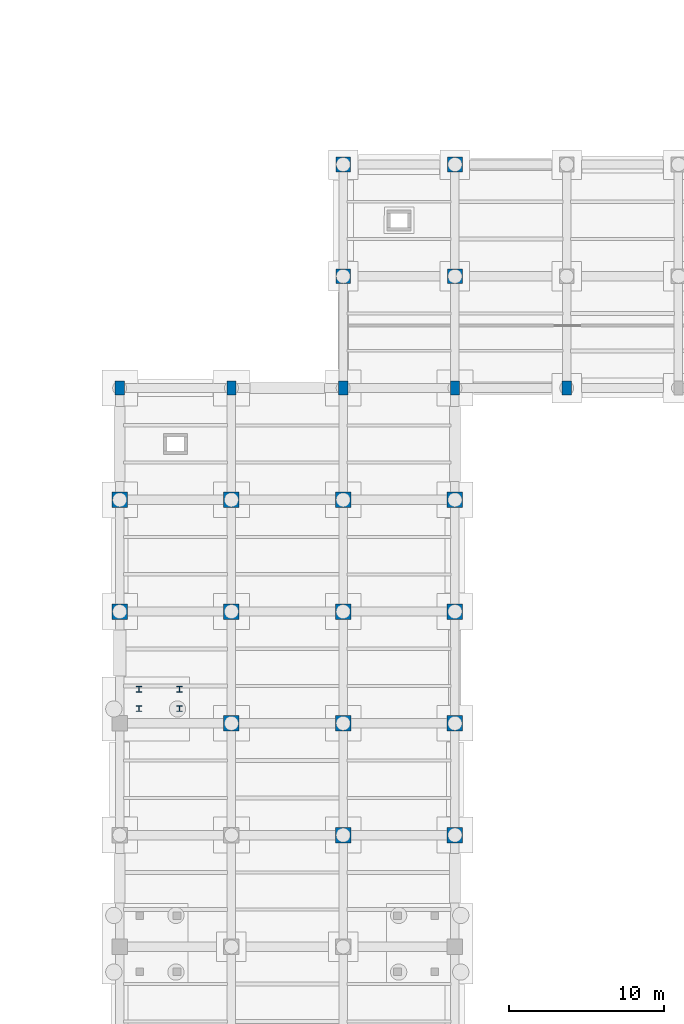
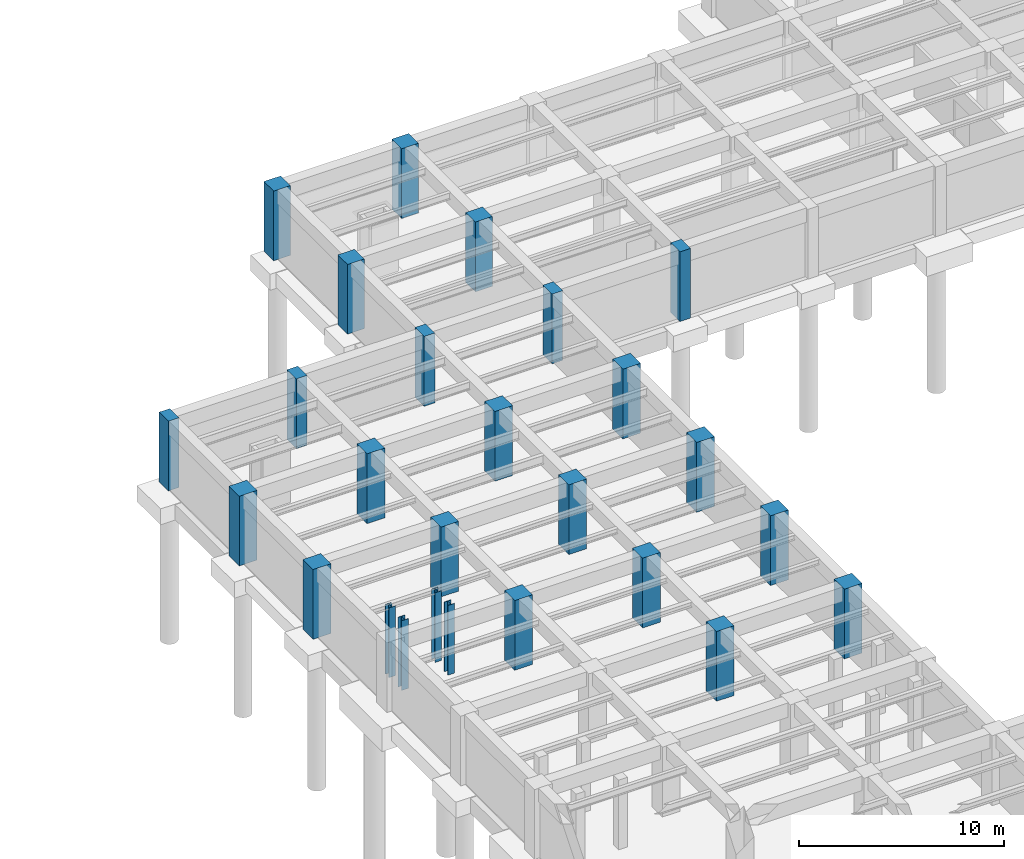
# One storey, part 6 of 34: 26 columns.
"""IFC4 building model written with IfcOpenShell, lengths in metres."""

from ifc_helpers import new_model, si_unit, direction, frame, origin, origin_2d, place, context, subcontext, project, spatial, rectangle, i_section, extrude, material, material_profile, profile_set, type_object, element, save


model = new_model("IFC4")

# Units and contexts
model_context = context("Model", 3, precision=1e-05, world=origin(), true_north=direction((0.0, 1.0)))
body_context = subcontext(model_context, "Body", "Model", "MODEL_VIEW")
ifc_project = project(units=[si_unit("LENGTHUNIT", "METRE"), si_unit("AREAUNIT", "SQUARE_METRE"), si_unit("VOLUMEUNIT", "CUBIC_METRE"), si_unit("PLANEANGLEUNIT", "RADIAN"), si_unit("MASSUNIT", "GRAM", prefix="KILO")], contexts=[model_context])

# Site, building, storey
site_placement = place(None, origin())
site = spatial("IfcSite", under=ifc_project, at=site_placement, CompositionType="ELEMENT")
building_placement = place(site_placement, origin())
building = spatial("IfcBuilding", under=site, at=building_placement, Name="Solenvale Faculty of Natural Sciences", CompositionType="ELEMENT")
storey_placement = place(building_placement, frame((0.0, 0.0, -4.5)))
storey = spatial("IfcBuildingStorey", under=building, at=storey_placement, Name="B01", CompositionType="ELEMENT", Elevation=-4.5)

# Columns
ifc_material_1 = material(Name="Concrete 50 MPa", Category="concrete")
ifc_material_profile_1 = material_profile(ifc_material_1, rectangle(XDim=1.0, YDim=1.0, at=origin_2d()), Name="RC-COL-1000x1000")
ifc_profile_set_1 = profile_set([ifc_material_profile_1], Name="Concrete 50 MPa")
column_type_1 = type_object("IfcColumnType", Name="COL-RC-1000", PredefinedType="COLUMN", material=ifc_profile_set_1)
for number, where, z_axis, x_axis, name in (
    (1, (36.0, 79.199951171875, 0.0), (0.0, 0.0, 1.0), (1.0, 0.0, 0.0), "B01 Column (36.0, 79.2)"),
    (2, (36.0, 86.39990234375, 0.0), (0.0, 0.0, 1.0), (1.0, 0.0, 0.0), "B01 Column (36.0, 86.4)"),
    (3, (43.199951171875, 72.0, 0.0), (0.0, 0.0, 1.0), (1.0, 0.0, 0.0), "B01 Column (43.2, 72.0)"),
    (4, (43.199951171875, 79.199951171875, 0.0), (0.0, 0.0, 1.0), (1.0, 0.0, 0.0), "B01 Column (43.2, 79.2)"),
    (5, (43.199951171875, 86.39990234375, 0.0), (0.0, 0.0, 1.0), (1.0, 0.0, 0.0), "B01 Column (43.2, 86.4)"),
    (6, (50.39990234375, 64.800048828125, 0.0), (0.0, 0.0, 1.0), (1.0, 0.0, 0.0), "B01 Column (50.4, 64.8)"),
    (7, (50.39990234375, 72.0, 0.0), (0.0, 0.0, 1.0), (1.0, 0.0, 0.0), "B01 Column (50.4, 72.0)"),
    (8, (50.39990234375, 79.199951171875, 0.0), (0.0, 0.0, 1.0), (1.0, 0.0, 0.0), "B01 Column (50.4, 79.2)"),
    (9, (50.39990234375, 86.39990234375, 0.0), (0.0, 0.0, 1.0), (1.0, 0.0, 0.0), "B01 Column (50.4, 86.4)"),
    (10, (57.60009765625, 64.800048828125, 0.0), (0.0, 0.0, 1.0), (1.0, 0.0, 0.0), "B01 Column (57.6, 64.8)"),
    (11, (57.60009765625, 72.0, 0.0), (0.0, 0.0, 1.0), (1.0, 0.0, 0.0), "B01 Column (57.6, 72.0)"),
    (12, (57.60009765625, 79.199951171875, 0.0), (0.0, 0.0, 1.0), (1.0, 0.0, 0.0), "B01 Column (57.6, 79.2)"),
    (13, (57.60009765625, 86.39990234375, 0.0), (0.0, 0.0, 1.0), (1.0, 0.0, 0.0), "B01 Column (57.6, 86.4)"),
):
    element("IfcColumn", number, at=place(storey_placement, frame(where, z_axis=z_axis, x_axis=x_axis)), inside=storey, type_object=column_type_1, Name=name, PredefinedType="COLUMN", context=body_context, shape_type="SweptSolid", body=[
        extrude(rectangle(XDim=1.0, YDim=1.0, at=origin_2d()), origin(), (0.0, 0.0, 1.0), 4.14990234375),
    ])
ifc_material_profile_2 = material_profile(ifc_material_1, rectangle(XDim=0.60009765625, YDim=0.89990234375, at=origin_2d()), Name="RC-COL-600x900")
ifc_profile_set_2 = profile_set([ifc_material_profile_2], Name="Concrete 50 MPa")
column_type_2 = type_object("IfcColumnType", Name="COL-RC-600x900", PredefinedType="COLUMN", material=ifc_profile_set_2)
for number, where, z_axis, x_axis, name in (
    (14, (36.0, 93.60009765625, 0.0), (0.0, 0.0, 1.0), (1.0, 0.0, 0.0), "B01 Column (36.0, 93.6)"),
    (15, (43.199951171875, 93.60009765625, 0.0), (0.0, 0.0, 1.0), (1.0, 0.0, 0.0), "B01 Column (43.2, 93.6)"),
    (16, (50.39990234375, 93.60009765625, 0.0), (0.0, 0.0, 1.0), (1.0, 0.0, 0.0), "B01 Column (50.4, 93.6)"),
    (17, (57.60009765625, 93.60009765625, 0.0), (0.0, 0.0, 1.0), (1.0, 0.0, 0.0), "B01 Column (57.6, 93.6)"),
    (18, (64.800048828125, 93.60009765625, 0.0), (0.0, 0.0, 1.0), (1.0, 0.0, 0.0), "B01 Column (64.8, 93.6)"),
):
    element("IfcColumn", number, at=place(storey_placement, frame(where, z_axis=z_axis, x_axis=x_axis)), inside=storey, type_object=column_type_2, Name=name, PredefinedType="COLUMN", context=body_context, shape_type="SweptSolid", body=[
        extrude(rectangle(XDim=0.60009765625, YDim=0.89990234375, at=origin_2d()), origin(), (0.0, 0.0, 1.0), 4.14990234375),
    ])
ifc_material_profile_3 = material_profile(ifc_material_1, rectangle(XDim=0.949951171875, YDim=0.949951171875, at=origin_2d()), Name="RC-COL-950x950")
ifc_profile_set_3 = profile_set([ifc_material_profile_3], Name="Concrete 50 MPa")
column_type_3 = type_object("IfcColumnType", Name="COL-RC-950", PredefinedType="COLUMN", material=ifc_profile_set_3)
for number, where, z_axis, x_axis, name in (
    (19, (50.39990234375, 100.800048828125, 0.0), (0.0, 0.0, 1.0), (1.0, 0.0, 0.0), "B01 Column (50.4, 100.8)"),
    (20, (50.39990234375, 108.0, 0.0), (0.0, 0.0, 1.0), (1.0, 0.0, 0.0), "B01 Column (50.4, 108.0)"),
    (21, (57.60009765625, 100.800048828125, 0.0), (0.0, 0.0, 1.0), (1.0, 0.0, 0.0), "B01 Column (57.6, 100.8)"),
    (22, (57.60009765625, 108.0, 0.0), (0.0, 0.0, 1.0), (1.0, 0.0, 0.0), "B01 Column (57.6, 108.0)"),
):
    element("IfcColumn", number, at=place(storey_placement, frame(where, z_axis=z_axis, x_axis=x_axis)), inside=storey, type_object=column_type_3, Name=name, PredefinedType="COLUMN", context=body_context, shape_type="SweptSolid", body=[
        extrude(rectangle(XDim=0.949951171875, YDim=0.949951171875, at=origin_2d()), origin(), (0.0, 0.0, 1.0), 4.14990234375),
    ])
ifc_material_2 = material(Name="Steel S355", Category="steel")
ifc_material_profile_4 = material_profile(ifc_material_2, i_section(OverallWidth=0.37109375, OverallDepth=0.364013671875, WebThickness=0.01318359375, FlangeThickness=0.021728515625, FilletRadius=0.02197265625, at=origin_2d()), Name="W360x162")
ifc_profile_set_4 = profile_set([ifc_material_profile_4], Name="Steel S355")
column_type_4 = type_object("IfcColumnType", Name="COL-STL-W360x162", PredefinedType="COLUMN", material=ifc_profile_set_4)
for number, where, z_axis, x_axis, name in (
    (23, (37.25, 72.949951171875, 0.0), (0.0, 0.0, 1.0), (1.0, 0.0, 0.0), "ST-06 B01 Support Post"),
    (24, (37.25, 74.199951171875, 0.0), (0.0, 0.0, 1.0), (1.0, 0.0, 0.0), "ST-06 B01 Support Post"),
    (25, (39.85009765625, 72.949951171875, 0.0), (0.0, 0.0, 1.0), (1.0, 0.0, 0.0), "ST-06 B01 Support Post"),
    (26, (39.85009765625, 74.199951171875, 0.0), (0.0, 0.0, 1.0), (1.0, 0.0, 0.0), "ST-06 B01 Support Post"),
):
    element("IfcColumn", number, at=place(storey_placement, frame(where, z_axis=z_axis, x_axis=x_axis)), inside=storey, type_object=column_type_4, Name=name, PredefinedType="COLUMN", context=body_context, shape_type="SweptSolid", body=[
        extrude(i_section(OverallWidth=0.37109375, OverallDepth=0.364013671875, WebThickness=0.01318359375, FlangeThickness=0.021728515625, FilletRadius=0.02197265625, at=origin_2d()), origin(), (0.0, 0.0, 1.0), 4.14990234375),
    ])

save(model, "model.ifc")
